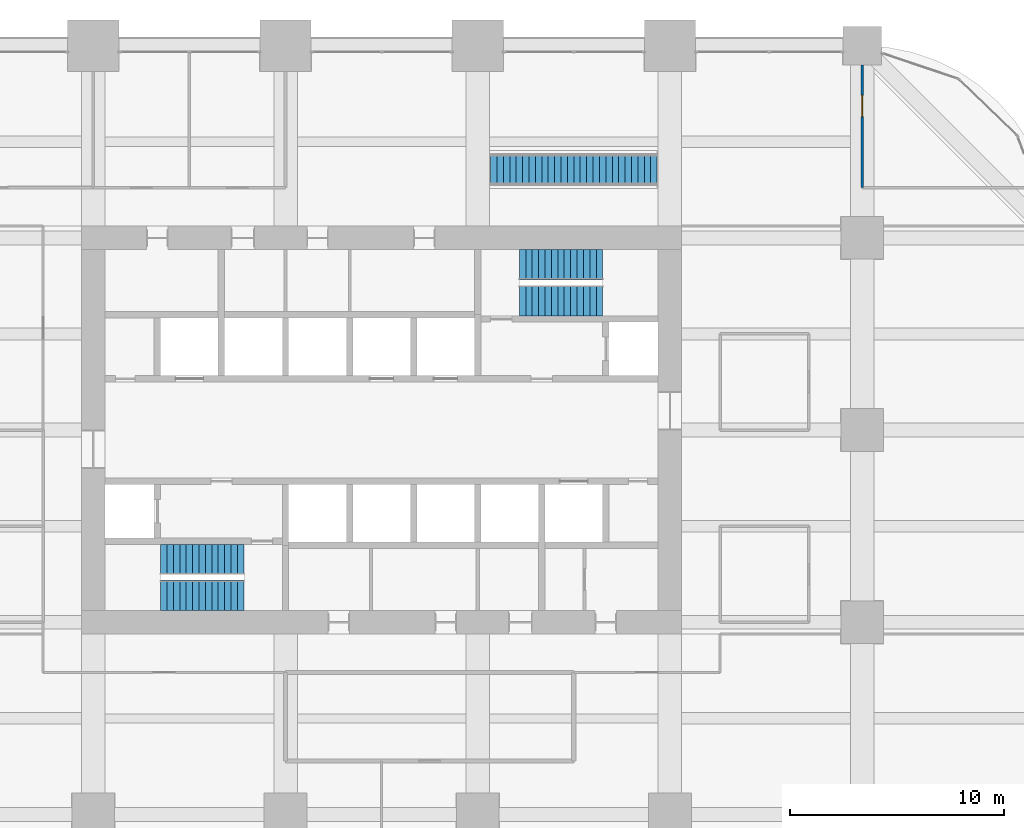
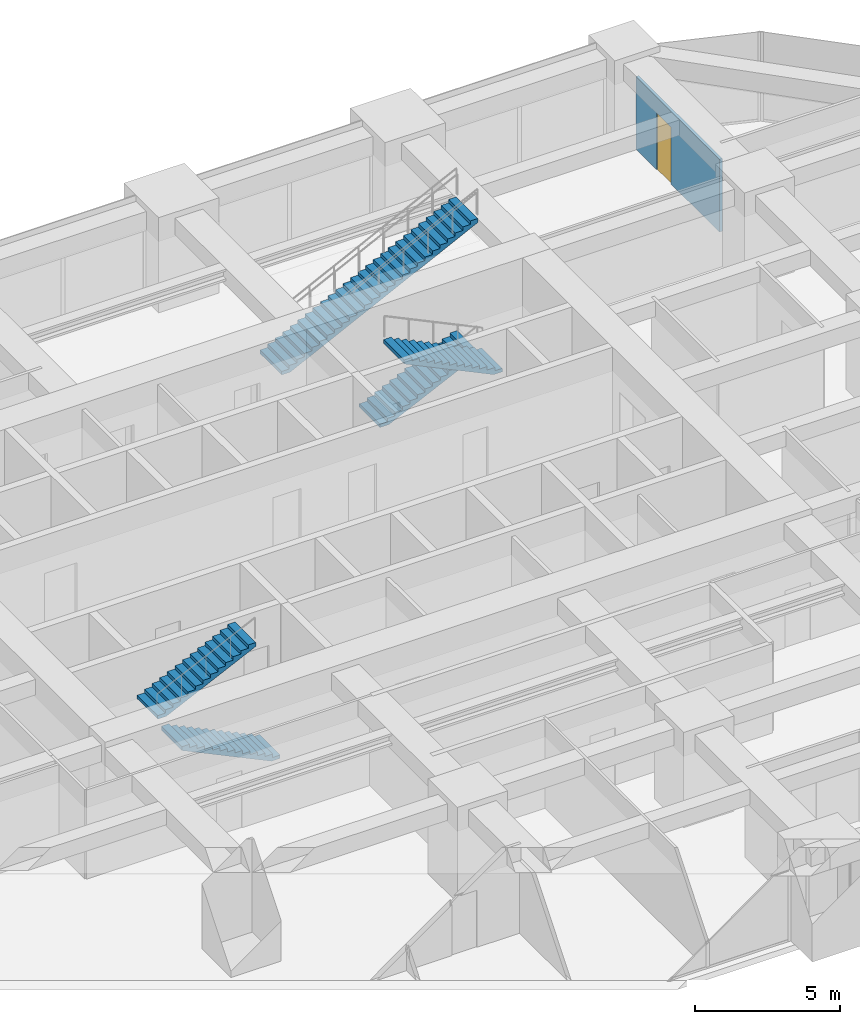
# One storey, part 39 of 41: 5 stair flights, 1 door, 1 wall, 1 opening, 3 elements without a shape of their own.
"""IFC4 building model written with IfcOpenShell, lengths in metres."""

from ifc_helpers import new_model, si_unit, direction, frame, frame_2d, origin, place, context, subcontext, project, spatial, polyline, rectangle, outline, extrude, material, layer, layer_set, constituent, constituent_set, type_object, element, fill, aggregate, save


model = new_model("IFC4")

# Units and contexts
model_context = context("Model", 3, precision=1e-05, world=origin(), true_north=direction((0.0, 1.0)))
body_context = subcontext(model_context, "Body", "Model", "MODEL_VIEW")
ifc_project = project(units=[si_unit("LENGTHUNIT", "METRE"), si_unit("AREAUNIT", "SQUARE_METRE"), si_unit("VOLUMEUNIT", "CUBIC_METRE"), si_unit("PLANEANGLEUNIT", "RADIAN"), si_unit("MASSUNIT", "GRAM", prefix="KILO")], contexts=[model_context])

# Site, building, storey
site_placement = place(None, origin())
site = spatial("IfcSite", under=ifc_project, at=site_placement, CompositionType="ELEMENT")
building_placement = place(site_placement, origin())
building = spatial("IfcBuilding", under=site, at=building_placement, Name="Zorevar Civic Tower", CompositionType="ELEMENT")
storey_placement = place(building_placement, frame((0.0, 0.0, 97.0)))
storey = spatial("IfcBuildingStorey", under=building, at=storey_placement, Name="L23", CompositionType="ELEMENT", Elevation=97.0)

# Wall, opening, door
ifc_material_1 = material(Name="Gypsum board on steel studs", Category="steel")
ifc_layer = layer(ifc_material_1, 0.1201171875)
ifc_layer_set = layer_set([ifc_layer], Name="Partition 120")
wall_type = type_object("IfcWallType", Name="Partition 120", PredefinedType="PARTITIONING", material=ifc_layer_set)
wall_placement = place(storey_placement, frame((54.0, 38.35009765625, 0.0), z_axis=(0.0, 0.0, 1.0), x_axis=(0.0, 1.0, 0.0)))
wall = element("IfcWall", 1, at=wall_placement, inside=storey, type_object=wall_type, Name="Partition 120 L23", PredefinedType="PARTITIONING", context=body_context, shape_type="SweptSolid", body=[
    extrude(rectangle(XDim=5.75, YDim=0.1201171875, at=frame_2d((2.875, 0.0))), origin(), (0.0, 0.0, 1.0), 3.050048828125),
])
opening_placement = place(wall_placement, frame((3.324951171875, 0.0, 0.0)))
opening = element("IfcOpeningElement", 2, at=opening_placement, cuts=wall, Name="Opening L23.36", PredefinedType="OPENING", context=body_context, shape_type="SweptSolid", body=[
    extrude(rectangle(XDim=1.0, YDim=2.39990234375, at=frame_2d((0.5, 1.199951171875))), frame((0.0, 0.070068359375, 0.0), z_axis=(0.0, -1.0, 0.0), x_axis=(1.0, 0.0, 0.0)), (0.0, 0.0, 1.0), 0.14013671875),
])
ifc_material_2 = material(Name="Timber door set", Category="wood")
door_type = type_object("IfcDoorType", Name="Door D1 1000x2400", OperationType="SINGLE_SWING_LEFT", PredefinedType="DOOR", material=ifc_material_2)
door_placement = place(opening_placement, origin())
door = element("IfcDoor", 3, at=door_placement, inside=storey, type_object=door_type, Name="Door L23 D1", OperationType="SINGLE_SWING_LEFT", OverallHeight=2.39990234375, OverallWidth=1.0, PredefinedType="DOOR", context=body_context, shape_type="SweptSolid", body=[
    extrude(rectangle(XDim=1.0, YDim=2.39990234375, at=frame_2d((0.5, 1.199951171875))), frame((0.0, 0.02490234375, 0.0), z_axis=(0.0, -1.0, 0.0), x_axis=(1.0, 0.0, 0.0)), (0.0, 0.0, 1.0), 0.050048828125),
])
fill(opening, door)

# Stair, stair flight
ifc_material_3 = material(Name="Steel S355", Category="steel")
ifc_constituent_1 = constituent(ifc_material_3, Name="Structure")
ifc_material_4 = material(Name="Stone treads", Category="masonry")
ifc_constituent_2 = constituent(ifc_material_4, Name="Finish")
ifc_constituent_set_1 = constituent_set(constituents=[ifc_constituent_1, ifc_constituent_2], Name="Steel S355")
stair_type_1 = type_object("IfcStairType", Name="Interconnecting stair IS1", PredefinedType="STRAIGHT_RUN_STAIR", material=ifc_constituent_set_1)
stair_1_placement = place(storey_placement, origin())
stair_1 = element("IfcStair", 4, at=stair_1_placement, inside=storey, type_object=stair_type_1, Name="Interconnecting stair IS1 L23 to L24", PredefinedType="STRAIGHT_RUN_STAIR")
ifc_material_5 = material(Name="Steel S355", Category="steel")
ifc_constituent_3 = constituent(ifc_material_5, Name="Structure")
ifc_material_6 = material(Name="Stone treads", Category="masonry")
ifc_constituent_4 = constituent(ifc_material_6, Name="Finish")
ifc_constituent_set_2 = constituent_set(constituents=[ifc_constituent_3, ifc_constituent_4], Name="Steel S355")
stair_flight_type_1 = type_object("IfcStairFlightType", Name="Interconnecting stair flight", PredefinedType="STRAIGHT", material=ifc_constituent_set_2)
stair_flight_1_placement = place(storey_placement, frame((36.60009765625, 39.199951171875, 0.0), z_axis=(0.0, 0.0, 1.0), x_axis=(1.0, 0.0, 0.0)))
stair_flight_1 = element("IfcStairFlight", 5, at=stair_flight_1_placement, type_object=stair_flight_type_1, Name="IS1 flight 1", NumberOfRisers=27, NumberOfTreads=26, PredefinedType="STRAIGHT", RiserHeight=0.148148148, TreadLength=0.3, context=body_context, shape_type="SweptSolid", body=[
    extrude(outline(polyline([(0.0, 0.0), (0.0, 0.148193359375), (0.300048828125, 0.148193359375), (0.300048828125, 0.29638671875), (0.60009765625, 0.29638671875), (0.60009765625, 0.4443359375), (0.89990234375, 0.4443359375), (0.89990234375, 0.592529296875), (1.199951171875, 0.592529296875), (1.199951171875, 0.74072265625), (1.5, 0.74072265625), (1.5, 0.888916015625), (1.800048828125, 0.888916015625), (1.800048828125, 1.037109375), (2.10009765625, 1.037109375), (2.10009765625, 1.185302734375), (2.39990234375, 1.185302734375), (2.39990234375, 1.333251953125), (2.699951171875, 1.333251953125), (2.699951171875, 1.4814453125), (3.0, 1.4814453125), (3.0, 1.629638671875), (3.300048828125, 1.629638671875), (3.300048828125, 1.77783203125), (3.60009765625, 1.77783203125), (3.60009765625, 1.926025390625), (3.89990234375, 1.926025390625), (3.89990234375, 2.073974609375), (4.199951171875, 2.073974609375), (4.199951171875, 2.22216796875), (4.5, 2.22216796875), (4.5, 2.370361328125), (4.800048828125, 2.370361328125), (4.800048828125, 2.5185546875), (5.10009765625, 2.5185546875), (5.10009765625, 2.666748046875), (5.39990234375, 2.666748046875), (5.39990234375, 2.814697265625), (5.699951171875, 2.814697265625), (5.699951171875, 2.962890625), (6.0, 2.962890625), (6.0, 3.111083984375), (6.300048828125, 3.111083984375), (6.300048828125, 3.25927734375), (6.60009765625, 3.25927734375), (6.60009765625, 3.407470703125), (6.89990234375, 3.407470703125), (6.89990234375, 3.5556640625), (7.199951171875, 3.5556640625), (7.199951171875, 3.70361328125), (7.5, 3.70361328125), (7.5, 3.851806640625), (7.800048828125, 3.851806640625), (7.800048828125, 4.0), (7.800048828125, 3.6845703125), (0.338623046875, 0.0), (0.0, 0.0)])), frame((0.0, 0.75, 0.0), z_axis=(0.0, -1.0, 0.0), x_axis=(1.0, 0.0, 0.0)), (0.0, 0.0, 1.0), 1.5),
])
aggregate(stair_1, [stair_flight_1])

# Stair, stair flights
ifc_material_7 = material(Name="Precast concrete C40/50", Category="concrete")
stair_type_2 = type_object("IfcStairType", Name="Stair ST 28R", PredefinedType="HALF_TURN_STAIR", material=ifc_material_7)
stair_2_placement = place(storey_placement, origin())
stair_2 = element("IfcStair", 6, at=stair_2_placement, inside=storey, type_object=stair_type_2, Name="Stair ST1 L23", PredefinedType="HALF_TURN_STAIR")
ifc_material_8 = material(Name="Precast concrete C40/50", Category="concrete")
stair_flight_type_2 = type_object("IfcStairFlightType", Name="Stair flight", PredefinedType="STRAIGHT", material=ifc_material_8)
stair_flight_2_placement = place(storey_placement, frame((25.050048828125, 19.262451171875, 0.0), z_axis=(0.0, 0.0, 1.0), x_axis=(-1.0, 0.0, 0.0)))
stair_flight_2 = element("IfcStairFlight", 7, at=stair_flight_2_placement, type_object=stair_flight_type_2, Name="ST1 flight 1", NumberOfRisers=14, NumberOfTreads=13, PredefinedType="STRAIGHT", RiserHeight=0.142857143, TreadLength=0.3, context=body_context, shape_type="SweptSolid", body=[
    extrude(outline(polyline([(0.0, 0.0), (0.0, 0.142822265625), (0.300048828125, 0.142822265625), (0.300048828125, 0.28564453125), (0.60009765625, 0.28564453125), (0.60009765625, 0.428466796875), (0.89990234375, 0.428466796875), (0.89990234375, 0.571533203125), (1.199951171875, 0.571533203125), (1.199951171875, 0.71435546875), (1.5, 0.71435546875), (1.5, 0.857177734375), (1.800048828125, 0.857177734375), (1.800048828125, 1.0), (2.10009765625, 1.0), (2.10009765625, 1.142822265625), (2.39990234375, 1.142822265625), (2.39990234375, 1.28564453125), (2.699951171875, 1.28564453125), (2.699951171875, 1.428466796875), (3.0, 1.428466796875), (3.0, 1.571533203125), (3.300048828125, 1.571533203125), (3.300048828125, 1.71435546875), (3.60009765625, 1.71435546875), (3.60009765625, 1.857177734375), (3.89990234375, 1.857177734375), (3.89990234375, 2.0), (3.89990234375, 1.691162109375), (0.3486328125, 0.0), (0.0, 0.0)])), frame((0.0, 0.71240234375, 0.0), z_axis=(0.0, -1.0, 0.0), x_axis=(1.0, 0.0, 0.0)), (0.0, 0.0, 1.0), 1.425048828125),
])
stair_flight_3_placement = place(storey_placement, frame((21.14990234375, 20.9375, 2.0), z_axis=(0.0, 0.0, 1.0), x_axis=(1.0, 0.0, 0.0)))
stair_flight_3 = element("IfcStairFlight", 8, at=stair_flight_3_placement, type_object=stair_flight_type_2, Name="ST1 flight 2", NumberOfRisers=14, NumberOfTreads=13, PredefinedType="STRAIGHT", RiserHeight=0.142857143, TreadLength=0.3, context=body_context, shape_type="SweptSolid", body=[
    extrude(outline(polyline([(0.0, 0.0), (0.0, 0.142822265625), (0.300048828125, 0.142822265625), (0.300048828125, 0.28564453125), (0.60009765625, 0.28564453125), (0.60009765625, 0.428466796875), (0.89990234375, 0.428466796875), (0.89990234375, 0.571533203125), (1.199951171875, 0.571533203125), (1.199951171875, 0.71435546875), (1.5, 0.71435546875), (1.5, 0.857177734375), (1.800048828125, 0.857177734375), (1.800048828125, 1.0), (2.10009765625, 1.0), (2.10009765625, 1.142822265625), (2.39990234375, 1.142822265625), (2.39990234375, 1.28564453125), (2.699951171875, 1.28564453125), (2.699951171875, 1.428466796875), (3.0, 1.428466796875), (3.0, 1.571533203125), (3.300048828125, 1.571533203125), (3.300048828125, 1.71435546875), (3.60009765625, 1.71435546875), (3.60009765625, 1.857177734375), (3.89990234375, 1.857177734375), (3.89990234375, 2.0), (3.89990234375, 1.691162109375), (0.3486328125, 0.0), (0.0, 0.0)])), frame((0.0, 0.71240234375, 0.0), z_axis=(0.0, -1.0, 0.0), x_axis=(1.0, 0.0, 0.0)), (0.0, 0.0, 1.0), 1.425048828125),
])
aggregate(stair_2, [stair_flight_2, stair_flight_3])

stair_3_placement = place(storey_placement, origin())
stair_3 = element("IfcStair", 9, at=stair_3_placement, inside=storey, type_object=stair_type_2, Name="Stair ST2 L23", PredefinedType="HALF_TURN_STAIR")
stair_flight_4_placement = place(storey_placement, frame((37.949951171875, 34.737548828125, 0.0), z_axis=(0.0, 0.0, 1.0), x_axis=(1.0, 0.0, 0.0)))
stair_flight_4 = element("IfcStairFlight", 10, at=stair_flight_4_placement, type_object=stair_flight_type_2, Name="ST2 flight 1", NumberOfRisers=14, NumberOfTreads=13, PredefinedType="STRAIGHT", RiserHeight=0.142857143, TreadLength=0.3, context=body_context, shape_type="SweptSolid", body=[
    extrude(outline(polyline([(0.0, 0.0), (0.0, 0.142822265625), (0.300048828125, 0.142822265625), (0.300048828125, 0.28564453125), (0.60009765625, 0.28564453125), (0.60009765625, 0.428466796875), (0.89990234375, 0.428466796875), (0.89990234375, 0.571533203125), (1.199951171875, 0.571533203125), (1.199951171875, 0.71435546875), (1.5, 0.71435546875), (1.5, 0.857177734375), (1.800048828125, 0.857177734375), (1.800048828125, 1.0), (2.10009765625, 1.0), (2.10009765625, 1.142822265625), (2.39990234375, 1.142822265625), (2.39990234375, 1.28564453125), (2.699951171875, 1.28564453125), (2.699951171875, 1.428466796875), (3.0, 1.428466796875), (3.0, 1.571533203125), (3.300048828125, 1.571533203125), (3.300048828125, 1.71435546875), (3.60009765625, 1.71435546875), (3.60009765625, 1.857177734375), (3.89990234375, 1.857177734375), (3.89990234375, 2.0), (3.89990234375, 1.691162109375), (0.3486328125, 0.0), (0.0, 0.0)])), frame((0.0, 0.71240234375, 0.0), z_axis=(0.0, -1.0, 0.0), x_axis=(1.0, 0.0, 0.0)), (0.0, 0.0, 1.0), 1.425048828125),
])
stair_flight_5_placement = place(storey_placement, frame((41.85009765625, 33.0625, 2.0), z_axis=(0.0, 0.0, 1.0), x_axis=(-1.0, 0.0, 0.0)))
stair_flight_5 = element("IfcStairFlight", 11, at=stair_flight_5_placement, type_object=stair_flight_type_2, Name="ST2 flight 2", NumberOfRisers=14, NumberOfTreads=13, PredefinedType="STRAIGHT", RiserHeight=0.142857143, TreadLength=0.3, context=body_context, shape_type="SweptSolid", body=[
    extrude(outline(polyline([(0.0, 0.0), (0.0, 0.142822265625), (0.300048828125, 0.142822265625), (0.300048828125, 0.28564453125), (0.60009765625, 0.28564453125), (0.60009765625, 0.428466796875), (0.89990234375, 0.428466796875), (0.89990234375, 0.571533203125), (1.199951171875, 0.571533203125), (1.199951171875, 0.71435546875), (1.5, 0.71435546875), (1.5, 0.857177734375), (1.800048828125, 0.857177734375), (1.800048828125, 1.0), (2.10009765625, 1.0), (2.10009765625, 1.142822265625), (2.39990234375, 1.142822265625), (2.39990234375, 1.28564453125), (2.699951171875, 1.28564453125), (2.699951171875, 1.428466796875), (3.0, 1.428466796875), (3.0, 1.571533203125), (3.300048828125, 1.571533203125), (3.300048828125, 1.71435546875), (3.60009765625, 1.71435546875), (3.60009765625, 1.857177734375), (3.89990234375, 1.857177734375), (3.89990234375, 2.0), (3.89990234375, 1.691162109375), (0.3486328125, 0.0), (0.0, 0.0)])), frame((0.0, 0.71240234375, 0.0), z_axis=(0.0, -1.0, 0.0), x_axis=(1.0, 0.0, 0.0)), (0.0, 0.0, 1.0), 1.425048828125),
])
aggregate(stair_3, [stair_flight_4, stair_flight_5])

save(model, "model.ifc")
